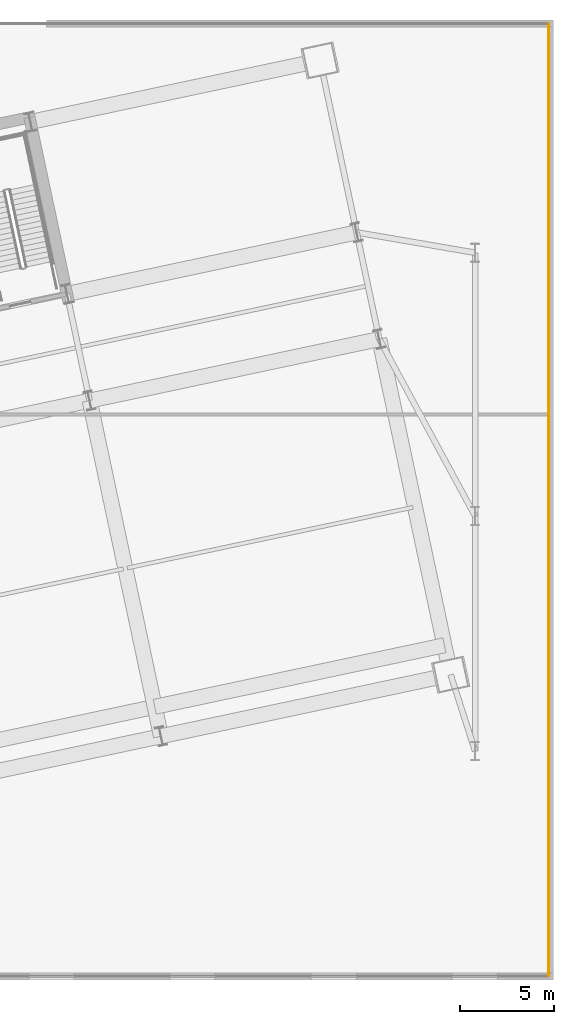
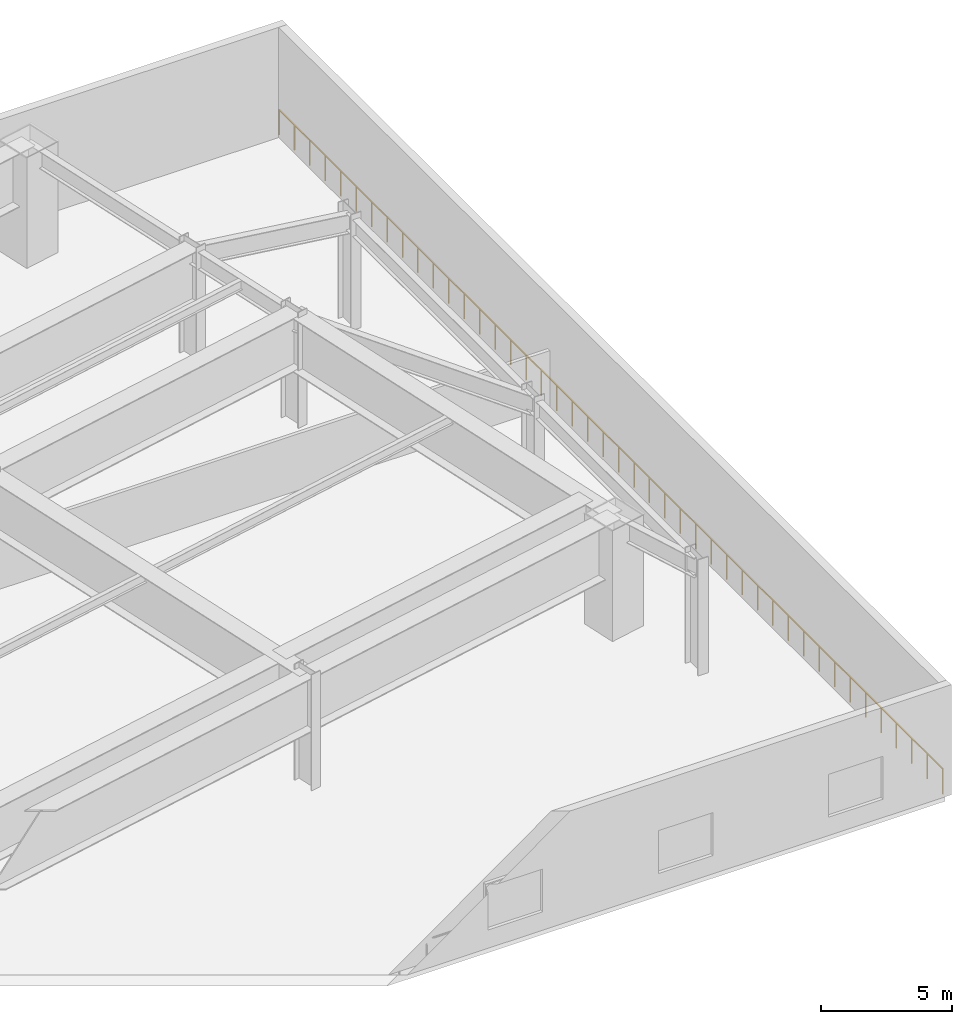
# One storey, part 29 of 29: 1 railing.
"""IFC4 building model written with IfcOpenShell, lengths in metres."""

import ifcopenshell
import ifcopenshell.guid

model = None  # the IFC model being written
_history = None  # IfcOwnerHistory: only IFC2X3 demands one
_inside = {}  # id of a spatial element -> (the spatial element, [elements in it])
_under = {}  # id of a project, library or spatial element -> (it, [spatial elements below it])
_declared = {}  # id of a project -> (the project, [libraries it declares])
_typed = {}  # id of a type object -> (the type object, [elements of that type])
_made_of = {}  # id of a material, layer set ... -> (it, [elements and type objects made of it])


def new_model(schema):
    """Start an empty IFC model of exactly this schema.

    Asked for "IFC4X3", IfcOpenShell would pick the latest addendum, in which some entities
    have other attributes; the version numbers below select the first issue.
    IFC2X3 requires an IfcOwnerHistory on every rooted entity: one is made here for all.
    """
    global model, _history
    if schema == "IFC4X3":
        model = ifcopenshell.file(schema_version=(4, 3, 0, 0))
    else:
        model = ifcopenshell.file(schema=schema)
    _inside.clear()
    _under.clear()
    _declared.clear()
    _typed.clear()
    _made_of.clear()
    _history = None
    if model.schema == "IFC2X3":
        org = make("IfcOrganization", Name="unknown")
        user = make(
            "IfcPersonAndOrganization",
            ThePerson=make("IfcPerson", FamilyName="unknown"),
            TheOrganization=org,
        )
        app = make(
            "IfcApplication",
            ApplicationDeveloper=org,
            Version="unknown",
            ApplicationFullName="unknown",
            ApplicationIdentifier="unknown",
        )
        _history = make(
            "IfcOwnerHistory",
            OwningUser=user,
            OwningApplication=app,
            ChangeAction="ADDED",
            CreationDate=0,
        )
    return model


def make(cls, **values):
    """One entity of the class cls with the attributes given. An attribute that is None is left unset."""
    return model.create_entity(
        cls, **{name: value for name, value in values.items() if value is not None}
    )


def rooted(cls, **values):
    """An entity with a GlobalId (a new one), such as an element, a storey or a relation."""
    return make(cls, GlobalId=ifcopenshell.guid.new(), OwnerHistory=_history, **values)


def si_unit(unit_type, name, prefix=None):
    """IfcSIUnit, for example si_unit("LENGTHUNIT", "METRE", prefix="MILLI")."""
    return make("IfcSIUnit", UnitType=unit_type, Prefix=prefix, Name=name)


def assignment(units):
    """IfcUnitAssignment: the units of a project."""
    return None if units is None else make("IfcUnitAssignment", Units=units)


def point(xyz):
    """IfcCartesianPoint."""
    return None if xyz is None else make("IfcCartesianPoint", Coordinates=xyz)


def direction(xyz):
    """IfcDirection."""
    return None if xyz is None else make("IfcDirection", DirectionRatios=xyz)


def frame(location, z_axis=None, x_axis=None):
    """IfcAxis2Placement3D, a coordinate frame: its origin and axes. An axis left out is left unset."""
    return make(
        "IfcAxis2Placement3D",
        Location=point(location),
        Axis=direction(z_axis),
        RefDirection=direction(x_axis),
    )


def frame_2d(location, x_axis=None):
    """IfcAxis2Placement2D, a coordinate frame in the plane: its origin and x axis."""
    return make(
        "IfcAxis2Placement2D", Location=point(location), RefDirection=direction(x_axis)
    )


def origin():
    """The frame at (0, 0, 0) with its axes left unset."""
    return frame((0.0, 0.0, 0.0))


def origin_2d():
    """The frame at (0, 0) in the plane with its x axis left unset."""
    return frame_2d((0.0, 0.0))


def place(relative_to, where):
    """IfcLocalPlacement: puts the frame where relative to a parent placement (None: the world)."""
    return make(
        "IfcLocalPlacement", PlacementRelTo=relative_to, RelativePlacement=where
    )


def context(
    kind, dimensions, precision=None, world=None, true_north=None, identifier=None
):
    """IfcGeometricRepresentationContext, for example the 3D "Model" context."""
    return make(
        "IfcGeometricRepresentationContext",
        ContextIdentifier=identifier,
        ContextType=kind,
        CoordinateSpaceDimension=dimensions,
        Precision=precision,
        WorldCoordinateSystem=world,
        TrueNorth=true_north,
    )


def subcontext(parent, identifier, kind, view, scale=None):
    """IfcGeometricRepresentationSubContext, for example "Body" below "Model"."""
    return make(
        "IfcGeometricRepresentationSubContext",
        ContextIdentifier=identifier,
        ContextType=kind,
        ParentContext=parent,
        TargetScale=scale,
        TargetView=view,
    )


def project(units=None, contexts=None):
    """IfcProject with its units and contexts."""
    return rooted(
        "IfcProject",
        Name="project",
        RepresentationContexts=contexts,
        UnitsInContext=assignment(units),
    )


def spatial(cls, under=None, at=None, **own):
    """A site, building, storey or space (cls), placed at a placement, below another one or the project."""
    s = rooted(cls, ObjectPlacement=at, **own)
    if under is not None:
        _under.setdefault(under.id(), (under, []))[1].append(s)
    return s


def profile(cls, at=None, kind="AREA", **sizes):
    """A parametric profile (cls). Its sizes go by their IFC names, for example OverallWidth=200.0."""
    return make(cls, ProfileType=kind, Position=at, **sizes)


def rectangle(**sizes):
    """IfcRectangleProfileDef."""
    return profile("IfcRectangleProfileDef", **sizes)


def extrude(swept, where, along, depth):
    """IfcExtrudedAreaSolid: the profile swept, set in the frame where, extruded along a direction by depth."""
    return make(
        "IfcExtrudedAreaSolid",
        SweptArea=swept,
        Position=where,
        ExtrudedDirection=direction(along),
        Depth=depth,
    )


def shape(context_of_items, identifier, shape_type, items):
    """IfcShapeRepresentation: the items that make up one representation, for example the "Body"."""
    return make(
        "IfcShapeRepresentation",
        ContextOfItems=context_of_items,
        RepresentationIdentifier=identifier,
        RepresentationType=shape_type,
        Items=items,
    )


def material(Name=None, Category=None):
    """IfcMaterial."""
    return make("IfcMaterial", Name=Name, Category=Category)


def made_of(thing, what):
    """Note that an element or type object is made of a material, layer set ...; save() writes the relation."""
    if what is not None:
        _made_of.setdefault(what.id(), (what, []))[1].append(thing)
    return thing


def type_object(cls, material=None, **own):
    """A type object (cls), such as IfcWallType, which elements share."""
    return made_of(rooted(cls, **own), material)


def element(
    cls,
    number,
    at=None,
    inside=None,
    cuts=None,
    type_object=None,
    material=None,
    context=None,
    identifier="Body",
    shape_type=None,
    held_by="IfcProductDefinitionShape",
    body=None,
    shapes=None,
    **own,
):
    """One element of the class cls, such as IfcWall. Its Tag is "e" and its number.

    at: its placement. inside: the storey or other place that contains it. cuts: it is an
    opening in that element (IfcRelVoidsElement). A single representation is given by context,
    identifier, shape_type and body (its items); several are given by shapes. held_by: the class
    of the entity that holds the representations. save() writes the other relations.
    """
    e = rooted(cls, Tag="e%d" % number, ObjectPlacement=at, **own)
    if body is not None:
        shapes = [shape(context, identifier, shape_type, body)]
    if shapes is not None:
        e.Representation = make(held_by, Representations=shapes)
    if inside is not None:
        _inside.setdefault(inside.id(), (inside, []))[1].append(e)
    if cuts is not None:
        rooted(
            "IfcRelVoidsElement", RelatingBuildingElement=cuts, RelatedOpeningElement=e
        )
    if type_object is not None:
        _typed.setdefault(type_object.id(), (type_object, []))[1].append(e)
    return made_of(e, material)


def aggregate(whole, parts):
    """IfcRelAggregates: a whole, such as a stair, and the parts it consists of."""
    return rooted("IfcRelAggregates", RelatingObject=whole, RelatedObjects=parts)


def save(model, path):
    """Write the relations noted so far, then the file.

    IfcRelAggregates (storeys below a building ...), IfcRelContainedInSpatialStructure (elements
    in a storey), IfcRelDefinesByType, IfcRelAssociatesMaterial and IfcRelDeclares: one each for
    every whole, place, type object, material and project.
    """
    for whole, parts in _under.values():
        aggregate(whole, parts)
    for where, things in _inside.values():
        rooted(
            "IfcRelContainedInSpatialStructure",
            RelatedElements=things,
            RelatingStructure=where,
        )
    for kind, things in _typed.values():
        rooted("IfcRelDefinesByType", RelatedObjects=things, RelatingType=kind)
    for what, things in _made_of.values():
        rooted("IfcRelAssociatesMaterial", RelatedObjects=things, RelatingMaterial=what)
    for by, libraries in _declared.values():
        rooted("IfcRelDeclares", RelatingContext=by, RelatedDefinitions=libraries)
    model.write(path)


model = new_model("IFC4")

# Units and contexts
model_context = context("Model", 3, precision=1e-05, world=origin(), true_north=direction((0.0, 1.0)))
body_context = subcontext(model_context, "Body", "Model", "MODEL_VIEW")
ifc_project = project(units=[si_unit("LENGTHUNIT", "METRE"), si_unit("AREAUNIT", "SQUARE_METRE"), si_unit("VOLUMEUNIT", "CUBIC_METRE"), si_unit("PLANEANGLEUNIT", "RADIAN"), si_unit("MASSUNIT", "GRAM", prefix="KILO")], contexts=[model_context])

# Site, building, storey
site_placement = place(None, origin())
site = spatial("IfcSite", under=ifc_project, at=site_placement, CompositionType="ELEMENT")
building_placement = place(site_placement, origin())
building = spatial("IfcBuilding", under=site, at=building_placement, Name="Haevon Station Towers", CompositionType="ELEMENT")
storey_placement = place(building_placement, frame((0.0, 0.0, 25.199951171875)))
storey = spatial("IfcBuildingStorey", under=building, at=storey_placement, Name="L05", CompositionType="ELEMENT", Elevation=25.199951171875)

# Railing
ifc_material = material(Name="Steel S355", Category="steel")
railing_type = type_object("IfcRailingType", Name="GRD-EXT1200", PredefinedType="GUARDRAIL", material=ifc_material)
railing_placement = place(storey_placement, frame((144.9248046875, 5.52734375, 0.0)))
element("IfcRailing", 1, at=railing_placement, inside=storey, type_object=railing_type, Name="L05 Perimeter Guardrail 2", PredefinedType="GUARDRAIL", context=body_context, shape_type="SweptSolid", body=[
    extrude(rectangle(XDim=0.048095703125, YDim=0.048095703125, at=origin_2d()), frame((0.0, 0.0, 1.17578125), z_axis=(0.0, 1.0, 0.0), x_axis=(-1.0, 0.0, 0.0)), (0.0, 0.0, 1.0), 50.645263671875),
    extrude(rectangle(XDim=0.0419921875, YDim=0.0419921875, at=origin_2d()), origin(), (0.0, 0.0, 1.0), 1.15185546875),
    extrude(rectangle(XDim=0.0419921875, YDim=0.0419921875, at=origin_2d()), frame((0.0, 1.177734375, 0.0)), (0.0, 0.0, 1.0), 1.15185546875),
    extrude(rectangle(XDim=0.0419921875, YDim=0.0419921875, at=origin_2d()), frame((0.0, 2.355712890625, 0.0)), (0.0, 0.0, 1.0), 1.15185546875),
    extrude(rectangle(XDim=0.0419921875, YDim=0.0419921875, at=origin_2d()), frame((0.0, 3.533447265625, 0.0)), (0.0, 0.0, 1.0), 1.15185546875),
    extrude(rectangle(XDim=0.0419921875, YDim=0.0419921875, at=origin_2d()), frame((0.0, 4.711181640625, 0.0)), (0.0, 0.0, 1.0), 1.15185546875),
    extrude(rectangle(XDim=0.0419921875, YDim=0.0419921875, at=origin_2d()), frame((0.0, 5.888916015625, 0.0)), (0.0, 0.0, 1.0), 1.15185546875),
    extrude(rectangle(XDim=0.0419921875, YDim=0.0419921875, at=origin_2d()), frame((0.0, 7.06689453125, 0.0)), (0.0, 0.0, 1.0), 1.15185546875),
    extrude(rectangle(XDim=0.0419921875, YDim=0.0419921875, at=origin_2d()), frame((0.0, 8.24462890625, 0.0)), (0.0, 0.0, 1.0), 1.15185546875),
    extrude(rectangle(XDim=0.0419921875, YDim=0.0419921875, at=origin_2d()), frame((0.0, 9.42236328125, 0.0)), (0.0, 0.0, 1.0), 1.15185546875),
    extrude(rectangle(XDim=0.0419921875, YDim=0.0419921875, at=origin_2d()), frame((0.0, 10.60009765625, 0.0)), (0.0, 0.0, 1.0), 1.15185546875),
    extrude(rectangle(XDim=0.0419921875, YDim=0.0419921875, at=origin_2d()), frame((0.0, 11.778076171875, 0.0)), (0.0, 0.0, 1.0), 1.15185546875),
    extrude(rectangle(XDim=0.0419921875, YDim=0.0419921875, at=origin_2d()), frame((0.0, 12.955810546875, 0.0)), (0.0, 0.0, 1.0), 1.15185546875),
    extrude(rectangle(XDim=0.0419921875, YDim=0.0419921875, at=origin_2d()), frame((0.0, 14.133544921875, 0.0)), (0.0, 0.0, 1.0), 1.15185546875),
    extrude(rectangle(XDim=0.0419921875, YDim=0.0419921875, at=origin_2d()), frame((0.0, 15.311279296875, 0.0)), (0.0, 0.0, 1.0), 1.15185546875),
    extrude(rectangle(XDim=0.0419921875, YDim=0.0419921875, at=origin_2d()), frame((0.0, 16.4892578125, 0.0)), (0.0, 0.0, 1.0), 1.15185546875),
    extrude(rectangle(XDim=0.0419921875, YDim=0.0419921875, at=origin_2d()), frame((0.0, 17.6669921875, 0.0)), (0.0, 0.0, 1.0), 1.15185546875),
    extrude(rectangle(XDim=0.0419921875, YDim=0.0419921875, at=origin_2d()), frame((0.0, 18.8447265625, 0.0)), (0.0, 0.0, 1.0), 1.15185546875),
    extrude(rectangle(XDim=0.0419921875, YDim=0.0419921875, at=origin_2d()), frame((0.0, 20.0224609375, 0.0)), (0.0, 0.0, 1.0), 1.15185546875),
    extrude(rectangle(XDim=0.0419921875, YDim=0.0419921875, at=origin_2d()), frame((0.0, 21.200439453125, 0.0)), (0.0, 0.0, 1.0), 1.15185546875),
    extrude(rectangle(XDim=0.0419921875, YDim=0.0419921875, at=origin_2d()), frame((0.0, 22.378173828125, 0.0)), (0.0, 0.0, 1.0), 1.15185546875),
    extrude(rectangle(XDim=0.0419921875, YDim=0.0419921875, at=origin_2d()), frame((0.0, 23.555908203125, 0.0)), (0.0, 0.0, 1.0), 1.15185546875),
    extrude(rectangle(XDim=0.0419921875, YDim=0.0419921875, at=origin_2d()), frame((0.0, 24.733642578125, 0.0)), (0.0, 0.0, 1.0), 1.15185546875),
    extrude(rectangle(XDim=0.0419921875, YDim=0.0419921875, at=origin_2d()), frame((0.0, 25.91162109375, 0.0)), (0.0, 0.0, 1.0), 1.15185546875),
    extrude(rectangle(XDim=0.0419921875, YDim=0.0419921875, at=origin_2d()), frame((0.0, 27.08935546875, 0.0)), (0.0, 0.0, 1.0), 1.15185546875),
    extrude(rectangle(XDim=0.0419921875, YDim=0.0419921875, at=origin_2d()), frame((0.0, 28.26708984375, 0.0)), (0.0, 0.0, 1.0), 1.15185546875),
    extrude(rectangle(XDim=0.0419921875, YDim=0.0419921875, at=origin_2d()), frame((0.0, 29.44482421875, 0.0)), (0.0, 0.0, 1.0), 1.15185546875),
    extrude(rectangle(XDim=0.0419921875, YDim=0.0419921875, at=origin_2d()), frame((0.0, 30.622802734375, 0.0)), (0.0, 0.0, 1.0), 1.15185546875),
    extrude(rectangle(XDim=0.0419921875, YDim=0.0419921875, at=origin_2d()), frame((0.0, 31.800537109375, 0.0)), (0.0, 0.0, 1.0), 1.15185546875),
    extrude(rectangle(XDim=0.0419921875, YDim=0.0419921875, at=origin_2d()), frame((0.0, 32.978271484375, 0.0)), (0.0, 0.0, 1.0), 1.15185546875),
    extrude(rectangle(XDim=0.0419921875, YDim=0.0419921875, at=origin_2d()), frame((0.0, 34.156005859375, 0.0)), (0.0, 0.0, 1.0), 1.15185546875),
    extrude(rectangle(XDim=0.0419921875, YDim=0.0419921875, at=origin_2d()), frame((0.0, 35.333984375, 0.0)), (0.0, 0.0, 1.0), 1.15185546875),
    extrude(rectangle(XDim=0.0419921875, YDim=0.0419921875, at=origin_2d()), frame((0.0, 36.51171875, 0.0)), (0.0, 0.0, 1.0), 1.15185546875),
    extrude(rectangle(XDim=0.0419921875, YDim=0.0419921875, at=origin_2d()), frame((0.0, 37.689453125, 0.0)), (0.0, 0.0, 1.0), 1.15185546875),
    extrude(rectangle(XDim=0.0419921875, YDim=0.0419921875, at=origin_2d()), frame((0.0, 38.8671875, 0.0)), (0.0, 0.0, 1.0), 1.15185546875),
    extrude(rectangle(XDim=0.0419921875, YDim=0.0419921875, at=origin_2d()), frame((0.0, 40.045166015625, 0.0)), (0.0, 0.0, 1.0), 1.15185546875),
    extrude(rectangle(XDim=0.0419921875, YDim=0.0419921875, at=origin_2d()), frame((0.0, 41.222900390625, 0.0)), (0.0, 0.0, 1.0), 1.15185546875),
    extrude(rectangle(XDim=0.0419921875, YDim=0.0419921875, at=origin_2d()), frame((0.0, 42.400634765625, 0.0)), (0.0, 0.0, 1.0), 1.15185546875),
    extrude(rectangle(XDim=0.0419921875, YDim=0.0419921875, at=origin_2d()), frame((0.0, 43.578369140625, 0.0)), (0.0, 0.0, 1.0), 1.15185546875),
    extrude(rectangle(XDim=0.0419921875, YDim=0.0419921875, at=origin_2d()), frame((0.0, 44.75634765625, 0.0)), (0.0, 0.0, 1.0), 1.15185546875),
    extrude(rectangle(XDim=0.0419921875, YDim=0.0419921875, at=origin_2d()), frame((0.0, 45.93408203125, 0.0)), (0.0, 0.0, 1.0), 1.15185546875),
    extrude(rectangle(XDim=0.0419921875, YDim=0.0419921875, at=origin_2d()), frame((0.0, 47.11181640625, 0.0)), (0.0, 0.0, 1.0), 1.15185546875),
    extrude(rectangle(XDim=0.0419921875, YDim=0.0419921875, at=origin_2d()), frame((0.0, 48.28955078125, 0.0)), (0.0, 0.0, 1.0), 1.15185546875),
    extrude(rectangle(XDim=0.0419921875, YDim=0.0419921875, at=origin_2d()), frame((0.0, 49.467529296875, 0.0)), (0.0, 0.0, 1.0), 1.15185546875),
    extrude(rectangle(XDim=0.0419921875, YDim=0.0419921875, at=origin_2d()), frame((0.0, 50.645263671875, 0.0)), (0.0, 0.0, 1.0), 1.15185546875),
])

save(model, "model.ifc")
